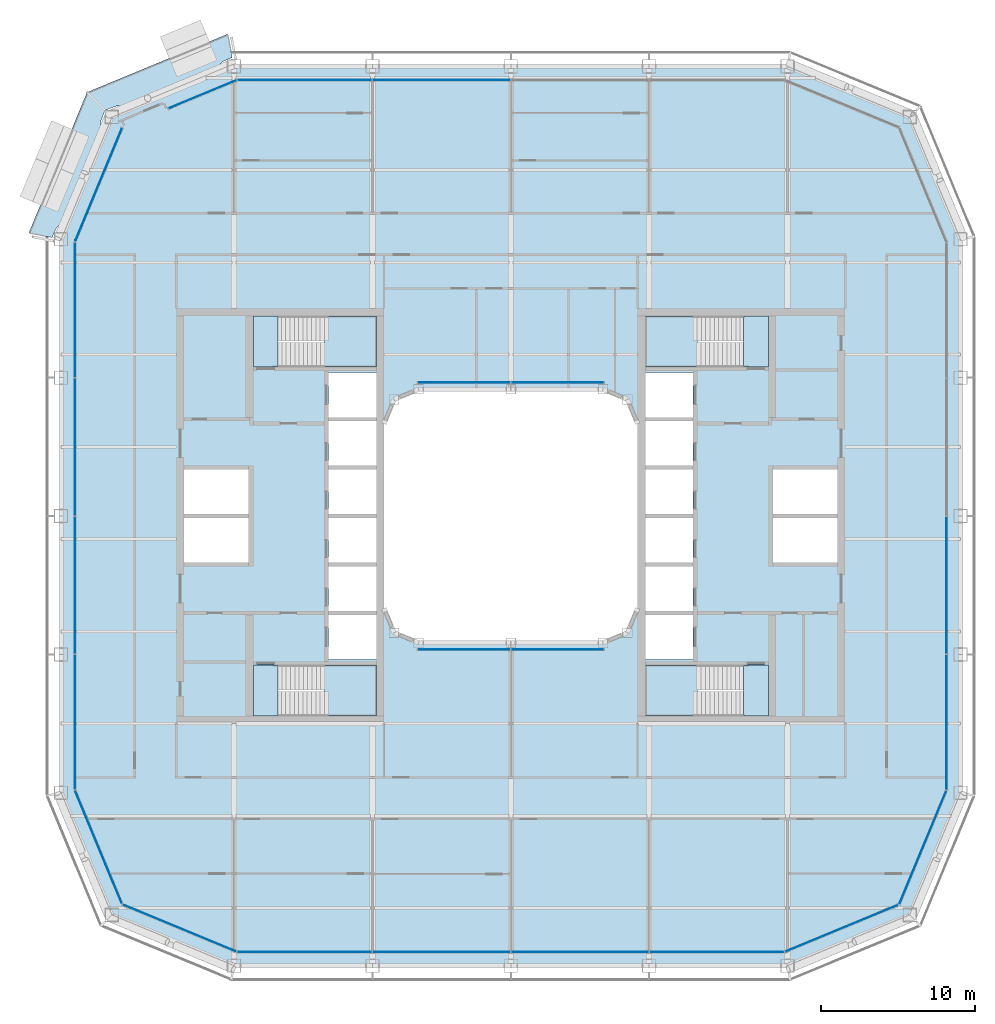
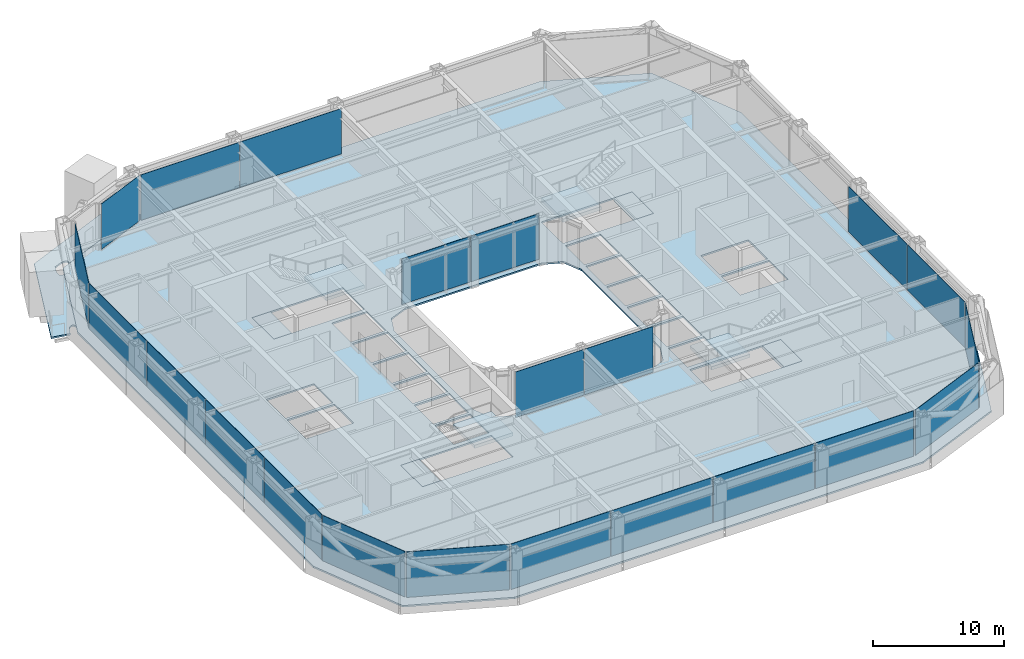
# One storey, part 10 of 23: 22 plates, 10 slabs, 16 elements without a shape of their own.
"""IFC4 building model written with IfcOpenShell, lengths in metres."""

from ifc_helpers import new_model, si_unit, direction, frame, origin, origin_2d, place, context, subcontext, project, spatial, polyline, rectangle, outline, extrude, material, layer, layer_set, type_object, element, aggregate, save


model = new_model("IFC4")

# Units and contexts
model_context = context("Model", 3, precision=1e-05, world=origin(), true_north=direction((0.0, 1.0)))
body_context = subcontext(model_context, "Body", "Model", "MODEL_VIEW")
ifc_project = project(units=[si_unit("LENGTHUNIT", "METRE"), si_unit("AREAUNIT", "SQUARE_METRE"), si_unit("VOLUMEUNIT", "CUBIC_METRE"), si_unit("PLANEANGLEUNIT", "RADIAN"), si_unit("MASSUNIT", "GRAM", prefix="KILO")], contexts=[model_context])

# Site, building, storey
site_placement = place(None, origin())
site = spatial("IfcSite", under=ifc_project, at=site_placement, CompositionType="ELEMENT")
building_placement = place(site_placement, origin())
building = spatial("IfcBuilding", under=site, at=building_placement, Name="Siwar Civic Tower", CompositionType="ELEMENT")
storey_placement = place(building_placement, frame((0.0, 0.0, 154.199951171875)))
storey = spatial("IfcBuildingStorey", under=building, at=storey_placement, Name="L33", CompositionType="ELEMENT", Elevation=154.199951171875)

# Stair, slabs
ifc_material_1 = material(Name="Concrete C40/50", Category="concrete")
stair_type = type_object("IfcStairType", Name="CORE-STAIR", PredefinedType="TWO_STRAIGHT_RUN_STAIR", material=ifc_material_1)
stair_1_placement = place(storey_placement, origin())
stair_1 = element("IfcStair", 1, at=stair_1_placement, inside=storey, type_object=stair_type, Name="Exit stair ST1", PredefinedType="TWO_STRAIGHT_RUN_STAIR")
ifc_material_2 = material(Name="Concrete C40/50", Category="concrete")
ifc_layer_1 = layer(ifc_material_2, 0.300048828125)
ifc_layer_set_1 = layer_set([ifc_layer_1], Name="Concrete C40/50")
slab_type_1 = type_object("IfcSlabType", Name="CORE-STAIR-LANDING", PredefinedType="LANDING", material=ifc_layer_set_1)
slab_1_placement = place(storey_placement, frame((0.0, 0.0, -0.300048828125)))
slab_1 = element("IfcSlab", 2, at=slab_1_placement, type_object=slab_type_1, Name="ST1 landing 1", PredefinedType="LANDING", context=body_context, shape_type="SweptSolid", body=[
    extrude(outline(polyline([(-15.14990234375, 13.0), (-16.75, 13.0), (-16.75, 9.699951171875), (-15.14990234375, 9.699951171875), (-15.14990234375, 13.0)])), origin(), (0.0, 0.0, 1.0), 0.300048828125),
])
slab_2_placement = place(storey_placement, frame((0.0, 0.0, 1.949951171875)))
slab_2 = element("IfcSlab", 3, at=slab_2_placement, type_object=slab_type_1, Name="ST1 landing 2", PredefinedType="LANDING", context=body_context, shape_type="SweptSolid", body=[
    extrude(outline(polyline([(-8.75, 13.0), (-12.139892578125, 13.0), (-12.139892578125, 9.699951171875), (-8.75, 9.699951171875), (-8.75, 13.0)])), origin(), (0.0, 0.0, 1.0), 0.300048828125),
])
aggregate(stair_1, [slab_1, slab_2])

stair_2_placement = place(storey_placement, origin())
stair_2 = element("IfcStair", 4, at=stair_2_placement, inside=storey, type_object=stair_type, Name="Exit stair ST2", PredefinedType="TWO_STRAIGHT_RUN_STAIR")
slab_3_placement = place(storey_placement, frame((0.0, 0.0, -0.300048828125)))
slab_3 = element("IfcSlab", 5, at=slab_3_placement, type_object=slab_type_1, Name="ST2 landing 1", PredefinedType="LANDING", context=body_context, shape_type="SweptSolid", body=[
    extrude(outline(polyline([(-15.14990234375, -9.699951171875), (-16.75, -9.699951171875), (-16.75, -13.0), (-15.14990234375, -13.0), (-15.14990234375, -9.699951171875)])), origin(), (0.0, 0.0, 1.0), 0.300048828125),
])
slab_4_placement = place(storey_placement, frame((0.0, 0.0, 1.949951171875)))
slab_4 = element("IfcSlab", 6, at=slab_4_placement, type_object=slab_type_1, Name="ST2 landing 2", PredefinedType="LANDING", context=body_context, shape_type="SweptSolid", body=[
    extrude(outline(polyline([(-8.75, -9.699951171875), (-12.139892578125, -9.699951171875), (-12.139892578125, -13.0), (-8.75, -13.0), (-8.75, -9.699951171875)])), origin(), (0.0, 0.0, 1.0), 0.300048828125),
])
aggregate(stair_2, [slab_3, slab_4])

stair_3_placement = place(storey_placement, origin())
stair_3 = element("IfcStair", 7, at=stair_3_placement, inside=storey, type_object=stair_type, Name="Exit stair ST3", PredefinedType="TWO_STRAIGHT_RUN_STAIR")
slab_5_placement = place(storey_placement, frame((0.0, 0.0, -0.300048828125)))
slab_5 = element("IfcSlab", 8, at=slab_5_placement, type_object=slab_type_1, Name="ST3 landing 1", PredefinedType="LANDING", context=body_context, shape_type="SweptSolid", body=[
    extrude(outline(polyline([(15.14990234375, 9.699951171875), (16.75, 9.699951171875), (16.75, 13.0), (15.14990234375, 13.0), (15.14990234375, 9.699951171875)])), origin(), (0.0, 0.0, 1.0), 0.300048828125),
])
slab_6_placement = place(storey_placement, frame((0.0, 0.0, 1.949951171875)))
slab_6 = element("IfcSlab", 9, at=slab_6_placement, type_object=slab_type_1, Name="ST3 landing 2", PredefinedType="LANDING", context=body_context, shape_type="SweptSolid", body=[
    extrude(outline(polyline([(8.75, 9.699951171875), (12.139892578125, 9.699951171875), (12.139892578125, 13.0), (8.75, 13.0), (8.75, 9.699951171875)])), origin(), (0.0, 0.0, 1.0), 0.300048828125),
])
aggregate(stair_3, [slab_5, slab_6])

stair_4_placement = place(storey_placement, origin())
stair_4 = element("IfcStair", 10, at=stair_4_placement, inside=storey, type_object=stair_type, Name="Exit stair ST4", PredefinedType="TWO_STRAIGHT_RUN_STAIR")
slab_7_placement = place(storey_placement, frame((0.0, 0.0, -0.300048828125)))
slab_7 = element("IfcSlab", 11, at=slab_7_placement, type_object=slab_type_1, Name="ST4 landing 1", PredefinedType="LANDING", context=body_context, shape_type="SweptSolid", body=[
    extrude(outline(polyline([(15.14990234375, -13.0), (16.75, -13.0), (16.75, -9.699951171875), (15.14990234375, -9.699951171875), (15.14990234375, -13.0)])), origin(), (0.0, 0.0, 1.0), 0.300048828125),
])
slab_8_placement = place(storey_placement, frame((0.0, 0.0, 1.949951171875)))
slab_8 = element("IfcSlab", 12, at=slab_8_placement, type_object=slab_type_1, Name="ST4 landing 2", PredefinedType="LANDING", context=body_context, shape_type="SweptSolid", body=[
    extrude(outline(polyline([(8.75, -13.0), (12.139892578125, -13.0), (12.139892578125, -9.699951171875), (8.75, -9.699951171875), (8.75, -13.0)])), origin(), (0.0, 0.0, 1.0), 0.300048828125),
])
aggregate(stair_4, [slab_7, slab_8])

# Slab
ifc_material_3 = material(Name="Concrete C40/50", Category="concrete")
ifc_layer_2 = layer(ifc_material_3, 0.14990234375)
ifc_layer_set_2 = layer_set([ifc_layer_2], Name="Concrete C40/50")
slab_type_2 = type_object("IfcSlabType", Name="ENV-BALCONY DECK 150", PredefinedType="FLOOR", material=ifc_layer_set_2)
slab_9_placement = place(storey_placement, frame((0.0, 0.0, -0.1494140625)))
element("IfcSlab", 13, at=slab_9_placement, inside=storey, type_object=slab_type_2, Name="Tree balcony deck NW", PredefinedType="FLOOR", context=body_context, shape_type="SweptSolid", body=[
    extrude(outline(polyline([(-26.263427734375, 26.43310546875), (-26.258056640625, 26.435546875), (-26.258056640625, 26.435546875), (-26.2333984375, 26.44580078125), (-26.151611328125, 26.479736328125), (-25.921875, 26.575439453125), (-25.897216796875, 26.585693359375), (-25.88916015625, 26.589111328125), (-25.88720703125, 26.58984375), (-25.81494140625, 26.617431640625), (-25.81005859375, 26.619140625), (-25.74462890625, 26.639404296875), (-25.740234375, 26.640625), (-25.673583984375, 26.65673828125), (-25.669189453125, 26.65771484375), (-25.601806640625, 26.669921875), (-25.59765625, 26.67041015625), (-25.529541015625, 26.6787109375), (-25.523681640625, 26.67919921875), (-25.517578125, 26.67919921875), (-25.406005859375, 26.6748046875), (-25.397216796875, 26.674072265625), (-25.388671875, 26.672119140625), (-25.345703125, 26.66015625), (-25.34130859375, 26.65869140625), (-25.299072265625, 26.64404296875), (-25.29150390625, 26.640869140625), (-25.284423828125, 26.63720703125), (-25.251220703125, 26.61669921875), (-25.247802734375, 26.614501953125), (-25.216064453125, 26.59228515625), (-25.209716796875, 26.58740234375), (-25.203857421875, 26.581787109375), (-25.19873046875, 26.575439453125), (-25.1943359375, 26.56884765625), (-25.190673828125, 26.561767578125), (-25.177001953125, 26.531494140625), (-25.17529296875, 26.52734375), (-25.16357421875, 26.496337890625), (-25.1611328125, 26.488525390625), (-25.159423828125, 26.480712890625), (-25.15869140625, 26.47265625), (-25.15869140625, 26.464599609375), (-25.15966796875, 26.456787109375), (-25.166259765625, 26.418701171875), (-25.167236328125, 26.41455078125), (-25.176025390625, 26.376708984375), (-25.17822265625, 26.368896484375), (-25.181396484375, 26.361328125), (-25.20068359375, 26.321044921875), (-25.202880859375, 26.31689453125), (-25.224609375, 26.27783203125), (-25.2294921875, 26.2705078125), (-25.23486328125, 26.263671875), (-25.25048828125, 26.246826171875), (-18.724609375, 28.949951171875), (-18.77490234375, 28.951904296875), (-18.783447265625, 28.95263671875), (-18.7919921875, 28.95458984375), (-18.835205078125, 28.966552734375), (-18.839599609375, 28.968017578125), (-18.8818359375, 28.982666015625), (-18.889404296875, 28.98583984375), (-18.896484375, 28.98974609375), (-18.9296875, 29.010009765625), (-18.935302734375, 29.013916015625), (-18.940673828125, 29.018310546875), (-18.945556640625, 29.023193359375), (-18.968994140625, 29.048583984375), (-18.971923828125, 29.052001953125), (-18.99365234375, 29.078857421875), (-18.998046875, 29.084716796875), (-19.001708984375, 29.0908203125), (-19.0048828125, 29.097412109375), (-19.00732421875, 29.104248046875), (-19.009033203125, 29.111083984375), (-19.01025390625, 29.118408203125), (-19.013671875, 29.15283203125), (-19.01416015625, 29.1572265625), (-19.015625, 29.19189453125), (-19.015625, 29.19873046875), (-19.01513671875, 29.20556640625), (-19.013671875, 29.21240234375), (-19.0048828125, 29.25), (-19.002685546875, 29.2578125), (-18.99951171875, 29.265380859375), (-18.980224609375, 29.305908203125), (-18.97802734375, 29.309814453125), (-18.956298828125, 29.348876953125), (-18.951416015625, 29.356201171875), (-18.946044921875, 29.363037109375), (-18.870361328125, 29.4453125), (-18.865966796875, 29.44970703125), (-18.861572265625, 29.453369140625), (-18.8076171875, 29.495849609375), (-18.80419921875, 29.498291015625), (-18.748046875, 29.53759765625), (-18.744384765625, 29.5400390625), (-18.68603515625, 29.575927734375), (-18.681884765625, 29.578369140625), (-18.62158203125, 29.610595703125), (-18.616943359375, 29.61279296875), (-18.54638671875, 29.64453125), (-18.54443359375, 29.645263671875), (-18.4951171875, 29.665771484375), (-18.449951171875, 29.6845703125), (-18.449951171875, 29.699951171875), (-18.412841796875, 29.699951171875), (-18.314697265625, 29.740966796875), (-18.232666015625, 29.775146484375), (-18.19970703125, 29.788818359375), (-18.175048828125, 29.798828125), (-18.175048828125, 29.798828125), (-18.16748046875, 29.8017578125), (-18.148193359375, 29.807373046875), (-18.140625, 29.80908203125), (-18.1328125, 29.81005859375), (-18.1123046875, 29.8115234375), (-18.11181640625, 29.8115234375), (-18.417724609375, 31.35009765625), (-27.562255859375, 27.562255859375), (-31.35009765625, 18.417724609375), (-29.80810546875, 18.111083984375), (-29.808349609375, 18.114013671875), (-29.80859375, 18.13037109375), (-29.808349609375, 18.136962890625), (-29.8076171875, 18.1435546875), (-29.80615234375, 18.150146484375), (-29.80224609375, 18.1650390625), (-29.798828125, 18.175048828125), (-29.788818359375, 18.19970703125), (-29.755615234375, 18.279052734375), (-29.740966796875, 18.314697265625), (-29.699951171875, 18.412841796875), (-29.699951171875, 18.449951171875), (-29.6845703125, 18.449951171875), (-29.665771484375, 18.4951171875), (-29.645263671875, 18.54443359375), (-29.64453125, 18.54638671875), (-29.61279296875, 18.616943359375), (-29.610595703125, 18.62158203125), (-29.578369140625, 18.681884765625), (-29.575927734375, 18.68603515625), (-29.5400390625, 18.744384765625), (-29.53759765625, 18.748046875), (-29.498291015625, 18.80419921875), (-29.495849609375, 18.8076171875), (-29.453369140625, 18.861572265625), (-29.44970703125, 18.865966796875), (-29.4453125, 18.870361328125), (-29.363037109375, 18.946044921875), (-29.356201171875, 18.951416015625), (-29.348876953125, 18.956298828125), (-29.309814453125, 18.97802734375), (-29.305908203125, 18.980224609375), (-29.265380859375, 18.99951171875), (-29.2578125, 19.002685546875), (-29.25, 19.0048828125), (-29.21240234375, 19.013671875), (-29.20556640625, 19.01513671875), (-29.19873046875, 19.015625), (-29.19189453125, 19.015625), (-29.1572265625, 19.01416015625), (-29.15283203125, 19.013671875), (-29.118408203125, 19.01025390625), (-29.111083984375, 19.009033203125), (-29.104248046875, 19.00732421875), (-29.097412109375, 19.0048828125), (-29.0908203125, 19.001708984375), (-29.084716796875, 18.998046875), (-29.078857421875, 18.99365234375), (-29.052001953125, 18.971923828125), (-29.048583984375, 18.968994140625), (-29.023193359375, 18.945556640625), (-29.018310546875, 18.940673828125), (-29.013916015625, 18.935302734375), (-29.010009765625, 18.9296875), (-28.98974609375, 18.896484375), (-28.98583984375, 18.889404296875), (-28.982666015625, 18.8818359375), (-28.968017578125, 18.839599609375), (-28.966552734375, 18.835205078125), (-28.95458984375, 18.7919921875), (-28.95263671875, 18.783447265625), (-28.951904296875, 18.77490234375), (-28.949951171875, 18.724609375), (-26.246826171875, 25.25048828125), (-26.263671875, 25.23486328125), (-26.2705078125, 25.2294921875), (-26.27783203125, 25.224609375), (-26.31689453125, 25.202880859375), (-26.321044921875, 25.20068359375), (-26.361328125, 25.181396484375), (-26.368896484375, 25.17822265625), (-26.376708984375, 25.176025390625), (-26.41455078125, 25.167236328125), (-26.418701171875, 25.166259765625), (-26.456787109375, 25.15966796875), (-26.464599609375, 25.15869140625), (-26.47265625, 25.15869140625), (-26.480712890625, 25.159423828125), (-26.488525390625, 25.1611328125), (-26.496337890625, 25.16357421875), (-26.52734375, 25.17529296875), (-26.531494140625, 25.177001953125), (-26.561767578125, 25.190673828125), (-26.56884765625, 25.1943359375), (-26.575439453125, 25.19873046875), (-26.581787109375, 25.203857421875), (-26.58740234375, 25.209716796875), (-26.59228515625, 25.216064453125), (-26.614501953125, 25.247802734375), (-26.61669921875, 25.251220703125), (-26.63720703125, 25.284423828125), (-26.640869140625, 25.29150390625), (-26.64404296875, 25.299072265625), (-26.65869140625, 25.34130859375), (-26.66015625, 25.345703125), (-26.672119140625, 25.388671875), (-26.674072265625, 25.397216796875), (-26.6748046875, 25.406005859375), (-26.67919921875, 25.517578125), (-26.67919921875, 25.523681640625), (-26.6787109375, 25.529541015625), (-26.67041015625, 25.59765625), (-26.669921875, 25.601806640625), (-26.65771484375, 25.669189453125), (-26.65673828125, 25.673583984375), (-26.640625, 25.740234375), (-26.639404296875, 25.74462890625), (-26.619140625, 25.81005859375), (-26.617431640625, 25.81494140625), (-26.58984375, 25.88720703125), (-26.589111328125, 25.88916015625), (-26.585693359375, 25.897216796875), (-26.575439453125, 25.921875), (-26.479736328125, 26.151611328125), (-26.44580078125, 26.2333984375), (-26.435546875, 26.258056640625), (-26.4306640625, 26.267578125), (-26.4228515625, 26.28076171875), (-26.419189453125, 26.286376953125), (-26.4150390625, 26.291748046875), (-26.410400390625, 26.296630859375), (-26.405029296875, 26.3017578125), (-26.405029296875, 26.405029296875), (-26.311279296875, 26.405029296875), (-26.29833984375, 26.414306640625), (-26.293701171875, 26.41748046875), (-26.28857421875, 26.420166015625), (-26.263427734375, 26.43310546875)])), origin(), (0.0, 0.0, 1.0), 0.1494140625),
])

# Curtain wall, plates
ifc_material_4 = material(Name="Aluminium and glass", Category="aluminium")
ifc_layer_3 = layer(ifc_material_4, 0.199951171875)
ifc_layer_set_3 = layer_set([ifc_layer_3], Name="Aluminium and glass")
curtain_wall_type_1 = type_object("IfcCurtainWallType", Name="ENV-CW-B", PredefinedType="NOTDEFINED", material=ifc_layer_set_3)
curtain_wall_1_placement = place(storey_placement, origin())
curtain_wall_1 = element("IfcCurtainWall", 14, at=curtain_wall_1_placement, inside=storey, type_object=curtain_wall_type_1, Name="Curtain wall B S", PredefinedType="NOTDEFINED")
ifc_material_5 = material(Name="Glass clear laminated", Category="glass")
ifc_layer_4 = layer(ifc_material_5, 0.033935546875)
ifc_layer_set_4 = layer_set([ifc_layer_4], Name="Glass clear laminated")
plate_type_1 = type_object("IfcPlateType", Name="ENV-PANEL-B", PredefinedType="CURTAIN_PANEL", material=ifc_layer_set_4)
plate_1_placement = place(storey_placement, frame((-13.410400390625, -28.35009765625, 0.10986328125), z_axis=(0.0, 0.0, 1.0), x_axis=(1.0, 0.0, 0.0)))
plate_1 = element("IfcPlate", 15, at=plate_1_placement, type_object=plate_type_1, Name="Curtain panel B S 1", PredefinedType="CURTAIN_PANEL", context=body_context, shape_type="SweptSolid", body=[
    extrude(rectangle(XDim=8.755859375, YDim=0.033935546875, at=origin_2d()), origin(), (0.0, 0.0, 1.0), 4.239990234375),
])
plate_2_placement = place(storey_placement, frame((-4.5, -28.35009765625, 0.10986328125), z_axis=(0.0, 0.0, 1.0), x_axis=(1.0, 0.0, 0.0)))
plate_2 = element("IfcPlate", 16, at=plate_2_placement, type_object=plate_type_1, Name="Curtain panel B S 2", PredefinedType="CURTAIN_PANEL", context=body_context, shape_type="SweptSolid", body=[
    extrude(rectangle(XDim=8.93505859375, YDim=0.033935546875, at=origin_2d()), origin(), (0.0, 0.0, 1.0), 4.239990234375),
])
plate_3_placement = place(storey_placement, frame((4.5, -28.35009765625, 0.10986328125), z_axis=(0.0, 0.0, 1.0), x_axis=(1.0, 0.0, 0.0)))
plate_3 = element("IfcPlate", 17, at=plate_3_placement, type_object=plate_type_1, Name="Curtain panel B S 3", PredefinedType="CURTAIN_PANEL", context=body_context, shape_type="SweptSolid", body=[
    extrude(rectangle(XDim=8.93505859375, YDim=0.033935546875, at=origin_2d()), origin(), (0.0, 0.0, 1.0), 4.239990234375),
])
plate_4_placement = place(storey_placement, frame((13.369873046875, -28.35009765625, 0.10986328125), z_axis=(0.0, 0.0, 1.0), x_axis=(1.0, 0.0, 0.0)))
plate_4 = element("IfcPlate", 18, at=plate_4_placement, type_object=plate_type_1, Name="Curtain panel B S 4", PredefinedType="CURTAIN_PANEL", context=body_context, shape_type="SweptSolid", body=[
    extrude(rectangle(XDim=8.6748046875, YDim=0.033935546875, at=origin_2d()), origin(), (0.0, 0.0, 1.0), 4.239990234375),
])
aggregate(curtain_wall_1, [plate_1, plate_2, plate_3, plate_4])

curtain_wall_2_placement = place(storey_placement, origin())
curtain_wall_2 = element("IfcCurtainWall", 19, at=curtain_wall_2_placement, inside=storey, type_object=curtain_wall_type_1, Name="Curtain wall B E", PredefinedType="NOTDEFINED")
plate_5_placement = place(storey_placement, frame((28.35009765625, -13.410400390625, 0.10986328125), z_axis=(0.0, 0.0, 1.0), x_axis=(0.0, 1.0, 0.0)))
plate_5 = element("IfcPlate", 20, at=plate_5_placement, type_object=plate_type_1, Name="Curtain panel B E 1", PredefinedType="CURTAIN_PANEL", context=body_context, shape_type="SweptSolid", body=[
    extrude(rectangle(XDim=8.755859375, YDim=0.033935546875, at=origin_2d()), origin(), (0.0, 0.0, 1.0), 4.239990234375),
])
plate_6_placement = place(storey_placement, frame((28.35009765625, -4.5, 0.10986328125), z_axis=(0.0, 0.0, 1.0), x_axis=(0.0, 1.0, 0.0)))
plate_6 = element("IfcPlate", 21, at=plate_6_placement, type_object=plate_type_1, Name="Curtain panel B E 2", PredefinedType="CURTAIN_PANEL", context=body_context, shape_type="SweptSolid", body=[
    extrude(rectangle(XDim=8.93505859375, YDim=0.033935546875, at=origin_2d()), origin(), (0.0, 0.0, 1.0), 4.239990234375),
])
aggregate(curtain_wall_2, [plate_5, plate_6])

curtain_wall_3_placement = place(storey_placement, origin())
curtain_wall_3 = element("IfcCurtainWall", 22, at=curtain_wall_3_placement, inside=storey, type_object=curtain_wall_type_1, Name="Curtain wall B N", PredefinedType="NOTDEFINED")
plate_7_placement = place(storey_placement, frame((-4.5, 28.35009765625, 0.10986328125), z_axis=(0.0, 0.0, 1.0), x_axis=(-1.0, 0.0, 0.0)))
plate_7 = element("IfcPlate", 23, at=plate_7_placement, type_object=plate_type_1, Name="Curtain panel B N 3", PredefinedType="CURTAIN_PANEL", context=body_context, shape_type="SweptSolid", body=[
    extrude(rectangle(XDim=8.93505859375, YDim=0.033935546875, at=origin_2d()), origin(), (0.0, 0.0, 1.0), 4.239990234375),
])
plate_8_placement = place(storey_placement, frame((-13.369873046875, 28.35009765625, 0.10986328125), z_axis=(0.0, 0.0, 1.0), x_axis=(-1.0, 0.0, 0.0)))
plate_8 = element("IfcPlate", 24, at=plate_8_placement, type_object=plate_type_1, Name="Curtain panel B N 4", PredefinedType="CURTAIN_PANEL", context=body_context, shape_type="SweptSolid", body=[
    extrude(rectangle(XDim=8.6748046875, YDim=0.033935546875, at=origin_2d()), origin(), (0.0, 0.0, 1.0), 4.239990234375),
])
aggregate(curtain_wall_3, [plate_7, plate_8])

curtain_wall_4_placement = place(storey_placement, origin())
curtain_wall_4 = element("IfcCurtainWall", 25, at=curtain_wall_4_placement, inside=storey, type_object=curtain_wall_type_1, Name="Curtain wall B W", PredefinedType="NOTDEFINED")
plate_9_placement = place(storey_placement, frame((-28.35009765625, 13.410400390625, 0.10986328125), z_axis=(0.0, 0.0, 1.0), x_axis=(0.0, -1.0, 0.0)))
plate_9 = element("IfcPlate", 26, at=plate_9_placement, type_object=plate_type_1, Name="Curtain panel B W 1", PredefinedType="CURTAIN_PANEL", context=body_context, shape_type="SweptSolid", body=[
    extrude(rectangle(XDim=8.755859375, YDim=0.033935546875, at=origin_2d()), origin(), (0.0, 0.0, 1.0), 4.239990234375),
])
plate_10_placement = place(storey_placement, frame((-28.35009765625, 4.5, 0.10986328125), z_axis=(0.0, 0.0, 1.0), x_axis=(0.0, -1.0, 0.0)))
plate_10 = element("IfcPlate", 27, at=plate_10_placement, type_object=plate_type_1, Name="Curtain panel B W 2", PredefinedType="CURTAIN_PANEL", context=body_context, shape_type="SweptSolid", body=[
    extrude(rectangle(XDim=8.93505859375, YDim=0.033935546875, at=origin_2d()), origin(), (0.0, 0.0, 1.0), 4.239990234375),
])
plate_11_placement = place(storey_placement, frame((-28.35009765625, -4.5, 0.10986328125), z_axis=(0.0, 0.0, 1.0), x_axis=(0.0, -1.0, 0.0)))
plate_11 = element("IfcPlate", 28, at=plate_11_placement, type_object=plate_type_1, Name="Curtain panel B W 3", PredefinedType="CURTAIN_PANEL", context=body_context, shape_type="SweptSolid", body=[
    extrude(rectangle(XDim=8.93505859375, YDim=0.033935546875, at=origin_2d()), origin(), (0.0, 0.0, 1.0), 4.239990234375),
])
plate_12_placement = place(storey_placement, frame((-28.35009765625, -13.369873046875, 0.10986328125), z_axis=(0.0, 0.0, 1.0), x_axis=(0.0, -1.0, 0.0)))
plate_12 = element("IfcPlate", 29, at=plate_12_placement, type_object=plate_type_1, Name="Curtain panel B W 4", PredefinedType="CURTAIN_PANEL", context=body_context, shape_type="SweptSolid", body=[
    extrude(rectangle(XDim=8.6748046875, YDim=0.033935546875, at=origin_2d()), origin(), (0.0, 0.0, 1.0), 4.239990234375),
])
aggregate(curtain_wall_4, [plate_9, plate_10, plate_11, plate_12])

# Curtain wall, plate
ifc_material_6 = material(Name="Aluminium clad insulated panel", Category="aluminium")
ifc_layer_5 = layer(ifc_material_6, 0.199951171875)
ifc_layer_set_5 = layer_set([ifc_layer_5], Name="Aluminium clad insulated panel")
curtain_wall_type_2 = type_object("IfcCurtainWallType", Name="ENV-CW-BX", PredefinedType="NOTDEFINED", material=ifc_layer_set_5)
curtain_wall_5_placement = place(storey_placement, origin())
curtain_wall_5 = element("IfcCurtainWall", 30, at=curtain_wall_5_placement, inside=storey, type_object=curtain_wall_type_2, Name="Curtain wall B SE1", PredefinedType="NOTDEFINED")
ifc_material_7 = material(Name="Aluminium clad insulated panel", Category="aluminium")
ifc_layer_6 = layer(ifc_material_7, 0.033935546875)
ifc_layer_set_6 = layer_set([ifc_layer_6], Name="Aluminium clad insulated panel")
plate_type_2 = type_object("IfcPlateType", Name="ENV-PANEL-BX", PredefinedType="CURTAIN_PANEL", material=ifc_layer_set_6)
plate_13_placement = place(storey_placement, frame((21.506103515625, -26.823486328125, 0.10986328125), z_axis=(0.0, 0.0, 1.0), x_axis=(0.923879532511, 0.382683432365, 0.0)))
plate_13 = element("IfcPlate", 31, at=plate_13_placement, type_object=plate_type_2, Name="Curtain panel B SE1 1", PredefinedType="CURTAIN_PANEL", context=body_context, shape_type="SweptSolid", body=[
    extrude(rectangle(XDim=7.912353515625, YDim=0.033935546875, at=origin_2d()), origin(), (0.0, 0.0, 1.0), 4.239990234375),
])
aggregate(curtain_wall_5, [plate_13])

curtain_wall_6_placement = place(storey_placement, origin())
curtain_wall_6 = element("IfcCurtainWall", 32, at=curtain_wall_6_placement, inside=storey, type_object=curtain_wall_type_2, Name="Curtain wall B SE2", PredefinedType="NOTDEFINED")
plate_14_placement = place(storey_placement, frame((26.79248046875, -21.5810546875, 0.10986328125), z_axis=(0.0, 0.0, 1.0), x_axis=(0.382683432365, 0.923879532511, 0.0)))
plate_14 = element("IfcPlate", 33, at=plate_14_placement, type_object=plate_type_2, Name="Curtain panel B SE2 1", PredefinedType="CURTAIN_PANEL", context=body_context, shape_type="SweptSolid", body=[
    extrude(rectangle(XDim=7.912353515625, YDim=0.033935546875, at=origin_2d()), origin(), (0.0, 0.0, 1.0), 4.239990234375),
])
aggregate(curtain_wall_6, [plate_14])

curtain_wall_7_placement = place(storey_placement, origin())
curtain_wall_7 = element("IfcCurtainWall", 34, at=curtain_wall_7_placement, inside=storey, type_object=curtain_wall_type_2, Name="Curtain wall B NW1", PredefinedType="NOTDEFINED")
plate_15_placement = place(storey_placement, frame((-20.06005859375, 27.422607421875, 0.10986328125), z_axis=(0.0, 0.0, 1.0), x_axis=(-0.923879532511, -0.382683432365, 0.0)))
plate_15 = element("IfcPlate", 35, at=plate_15_placement, type_object=plate_type_2, Name="Curtain panel B NW1 1", PredefinedType="CURTAIN_PANEL", context=body_context, shape_type="SweptSolid", body=[
    extrude(rectangle(XDim=4.7822265625, YDim=0.033935546875, at=origin_2d()), origin(), (0.0, 0.0, 1.0), 4.239990234375),
])
aggregate(curtain_wall_7, [plate_15])

curtain_wall_8_placement = place(storey_placement, origin())
curtain_wall_8 = element("IfcCurtainWall", 36, at=curtain_wall_8_placement, inside=storey, type_object=curtain_wall_type_2, Name="Curtain wall B NW2", PredefinedType="NOTDEFINED")
plate_16_placement = place(storey_placement, frame((-26.79248046875, 21.5810546875, 0.10986328125), z_axis=(0.0, 0.0, 1.0), x_axis=(-0.382683432365, -0.923879532511, 0.0)))
plate_16 = element("IfcPlate", 37, at=plate_16_placement, type_object=plate_type_2, Name="Curtain panel B NW2 1", PredefinedType="CURTAIN_PANEL", context=body_context, shape_type="SweptSolid", body=[
    extrude(rectangle(XDim=7.912353515625, YDim=0.033935546875, at=origin_2d()), origin(), (0.0, 0.0, 1.0), 4.239990234375),
])
aggregate(curtain_wall_8, [plate_16])

curtain_wall_9_placement = place(storey_placement, origin())
curtain_wall_9 = element("IfcCurtainWall", 38, at=curtain_wall_9_placement, inside=storey, type_object=curtain_wall_type_2, Name="Curtain wall B SW1", PredefinedType="NOTDEFINED")
plate_17_placement = place(storey_placement, frame((-26.823486328125, -21.506103515625, 0.10986328125), z_axis=(0.0, 0.0, 1.0), x_axis=(0.382683432365, -0.923879532511, 0.0)))
plate_17 = element("IfcPlate", 39, at=plate_17_placement, type_object=plate_type_2, Name="Curtain panel B SW1 1", PredefinedType="CURTAIN_PANEL", context=body_context, shape_type="SweptSolid", body=[
    extrude(rectangle(XDim=7.912353515625, YDim=0.033935546875, at=origin_2d()), origin(), (0.0, 0.0, 1.0), 4.239990234375),
])
aggregate(curtain_wall_9, [plate_17])

curtain_wall_10_placement = place(storey_placement, origin())
curtain_wall_10 = element("IfcCurtainWall", 40, at=curtain_wall_10_placement, inside=storey, type_object=curtain_wall_type_2, Name="Curtain wall B SW2", PredefinedType="NOTDEFINED")
plate_18_placement = place(storey_placement, frame((-21.5810546875, -26.79248046875, 0.10986328125), z_axis=(0.0, 0.0, 1.0), x_axis=(0.923879532511, -0.382683432365, 0.0)))
plate_18 = element("IfcPlate", 41, at=plate_18_placement, type_object=plate_type_2, Name="Curtain panel B SW2 1", PredefinedType="CURTAIN_PANEL", context=body_context, shape_type="SweptSolid", body=[
    extrude(rectangle(XDim=7.912353515625, YDim=0.033935546875, at=origin_2d()), origin(), (0.0, 0.0, 1.0), 4.239990234375),
])
aggregate(curtain_wall_10, [plate_18])

# Curtain wall, plates
ifc_material_8 = material(Name="Aluminium and glass", Category="aluminium")
ifc_layer_7 = layer(ifc_material_8, 0.179931640625)
ifc_layer_set_7 = layer_set([ifc_layer_7], Name="Aluminium and glass")
curtain_wall_type_3 = type_object("IfcCurtainWallType", Name="ENV-CW-W", PredefinedType="NOTDEFINED", material=ifc_layer_set_7)
curtain_wall_11_placement = place(storey_placement, origin())
curtain_wall_11 = element("IfcCurtainWall", 42, at=curtain_wall_11_placement, inside=storey, type_object=curtain_wall_type_3, Name="Curtain wall W WS", PredefinedType="NOTDEFINED")
ifc_material_9 = material(Name="Glass clear laminated", Category="glass")
ifc_layer_8 = layer(ifc_material_9, 0.031982421875)
ifc_layer_set_8 = layer_set([ifc_layer_8], Name="Glass clear laminated")
plate_type_3 = type_object("IfcPlateType", Name="ENV-PANEL-W", PredefinedType="CURTAIN_PANEL", material=ifc_layer_set_8)
plate_19_placement = place(storey_placement, frame((-3.043212890625, -8.68505859375, 0.10009765625), z_axis=(0.0, 0.0, 1.0), x_axis=(1.0, 0.0, 0.0)))
plate_19 = element("IfcPlate", 43, at=plate_19_placement, type_object=plate_type_3, Name="Curtain panel W WS 1", PredefinedType="CURTAIN_PANEL", context=body_context, shape_type="SweptSolid", body=[
    extrude(rectangle(XDim=6.026611328125, YDim=0.031982421875, at=origin_2d()), origin(), (0.0, 0.0, 1.0), 4.25),
])
plate_20_placement = place(storey_placement, frame((3.043212890625, -8.68505859375, 0.10009765625), z_axis=(0.0, 0.0, 1.0), x_axis=(1.0, 0.0, 0.0)))
plate_20 = element("IfcPlate", 44, at=plate_20_placement, type_object=plate_type_3, Name="Curtain panel W WS 2", PredefinedType="CURTAIN_PANEL", context=body_context, shape_type="SweptSolid", body=[
    extrude(rectangle(XDim=6.026611328125, YDim=0.031982421875, at=origin_2d()), origin(), (0.0, 0.0, 1.0), 4.25),
])
aggregate(curtain_wall_11, [plate_19, plate_20])

curtain_wall_12_placement = place(storey_placement, origin())
curtain_wall_12 = element("IfcCurtainWall", 45, at=curtain_wall_12_placement, inside=storey, type_object=curtain_wall_type_3, Name="Curtain wall W WN", PredefinedType="NOTDEFINED")
plate_21_placement = place(storey_placement, frame((3.043212890625, 8.68505859375, 0.10009765625), z_axis=(0.0, 0.0, 1.0), x_axis=(-1.0, 0.0, 0.0)))
plate_21 = element("IfcPlate", 46, at=plate_21_placement, type_object=plate_type_3, Name="Curtain panel W WN 1", PredefinedType="CURTAIN_PANEL", context=body_context, shape_type="SweptSolid", body=[
    extrude(rectangle(XDim=6.026611328125, YDim=0.031982421875, at=origin_2d()), origin(), (0.0, 0.0, 1.0), 4.25),
])
plate_22_placement = place(storey_placement, frame((-3.043212890625, 8.68505859375, 0.10009765625), z_axis=(0.0, 0.0, 1.0), x_axis=(-1.0, 0.0, 0.0)))
plate_22 = element("IfcPlate", 47, at=plate_22_placement, type_object=plate_type_3, Name="Curtain panel W WN 2", PredefinedType="CURTAIN_PANEL", context=body_context, shape_type="SweptSolid", body=[
    extrude(rectangle(XDim=6.026611328125, YDim=0.031982421875, at=origin_2d()), origin(), (0.0, 0.0, 1.0), 4.25),
])
aggregate(curtain_wall_12, [plate_21, plate_22])

# Slab
ifc_material_10 = material(Name="Concrete C40/50", Category="concrete")
ifc_layer_9 = layer(ifc_material_10, 0.14990234375)
ifc_layer_set_9 = layer_set([ifc_layer_9], Name="Concrete C40/50")
slab_type_3 = type_object("IfcSlabType", Name="STR-FLOOR-DECK-150", PredefinedType="FLOOR", material=ifc_layer_set_9)
slab_10_placement = place(storey_placement, frame((0.0, 0.0, -0.14990234375)))
element("IfcSlab", 48, at=slab_10_placement, inside=storey, type_object=slab_type_3, Name="L33/slab/1", PredefinedType="FLOOR", context=body_context, shape_type="SweptSolid", body=[
    extrude(outline(polyline([(-18.0, -29.25), (18.0, -29.25), (25.954833984375, -25.954833984375), (29.25, -18.0), (29.25, 18.0), (25.954833984375, 25.954833984375), (18.0, 29.25), (-18.0, 29.25), (-25.954833984375, 25.954833984375), (-29.25, 18.0), (-29.25, -18.0), (-25.954833984375, -25.954833984375), (-18.0, -29.25)]), holes=[polyline([(21.25, 3.02490234375), (21.25, 0.125), (17.050048828125, 0.125), (17.050048828125, 3.02490234375), (21.25, 3.02490234375)]), polyline([(17.050048828125, -0.125), (21.25, -0.125), (21.25, -3.02490234375), (17.050048828125, -3.02490234375), (17.050048828125, -0.125)]), polyline([(16.75, 13.0), (16.75, 9.699951171875), (8.75, 9.699951171875), (8.75, 13.0), (16.75, 13.0)]), polyline([(8.75, -9.699951171875), (16.75, -9.699951171875), (16.75, -13.0), (8.75, -13.0), (8.75, -9.699951171875)]), polyline([(11.85009765625, 9.324951171875), (11.85009765625, 6.425048828125), (8.75, 6.425048828125), (8.75, 9.324951171875), (11.85009765625, 9.324951171875)]), polyline([(11.85009765625, 3.02490234375), (11.85009765625, 0.125), (8.75, 0.125), (8.75, 3.02490234375), (11.85009765625, 3.02490234375)]), polyline([(11.85009765625, -0.125), (11.85009765625, -3.02490234375), (8.75, -3.02490234375), (8.75, -0.125), (11.85009765625, -0.125)]), polyline([(11.85009765625, -3.27490234375), (11.85009765625, -6.175048828125), (8.75, -6.175048828125), (8.75, -3.27490234375), (11.85009765625, -3.27490234375)]), polyline([(8.75, 6.175048828125), (11.85009765625, 6.175048828125), (11.85009765625, 3.27490234375), (8.75, 3.27490234375), (8.75, 6.175048828125)]), polyline([(8.75, -6.425048828125), (11.85009765625, -6.425048828125), (11.85009765625, -9.324951171875), (8.75, -9.324951171875), (8.75, -6.425048828125)]), polyline([(-6.0, 8.25), (6.0, 8.25), (7.591064453125, 7.591064453125), (8.25, 6.0), (8.25, -6.0), (7.591064453125, -7.591064453125), (6.0, -8.25), (-6.0, -8.25), (-7.591064453125, -7.591064453125), (-8.25, -6.0), (-8.25, 6.0), (-7.591064453125, 7.591064453125), (-6.0, 8.25)]), polyline([(-8.75, 9.699951171875), (-16.75, 9.699951171875), (-16.75, 13.0), (-8.75, 13.0), (-8.75, 9.699951171875)]), polyline([(-8.75, 0.125), (-11.85009765625, 0.125), (-11.85009765625, 3.02490234375), (-8.75, 3.02490234375), (-8.75, 0.125)]), polyline([(-8.75, -6.175048828125), (-11.85009765625, -6.175048828125), (-11.85009765625, -3.27490234375), (-8.75, -3.27490234375), (-8.75, -6.175048828125)]), polyline([(-8.75, -9.324951171875), (-11.85009765625, -9.324951171875), (-11.85009765625, -6.425048828125), (-8.75, -6.425048828125), (-8.75, -9.324951171875)]), polyline([(-8.75, -13.0), (-16.75, -13.0), (-16.75, -9.699951171875), (-8.75, -9.699951171875), (-8.75, -13.0)]), polyline([(-11.85009765625, 6.425048828125), (-11.85009765625, 9.324951171875), (-8.75, 9.324951171875), (-8.75, 6.425048828125), (-11.85009765625, 6.425048828125)]), polyline([(-11.85009765625, 3.27490234375), (-11.85009765625, 6.175048828125), (-8.75, 6.175048828125), (-8.75, 3.27490234375), (-11.85009765625, 3.27490234375)]), polyline([(-11.85009765625, -3.02490234375), (-11.85009765625, -0.125), (-8.75, -0.125), (-8.75, -3.02490234375), (-11.85009765625, -3.02490234375)]), polyline([(-21.25, -3.02490234375), (-21.25, -0.125), (-17.050048828125, -0.125), (-17.050048828125, -3.02490234375), (-21.25, -3.02490234375)]), polyline([(-17.050048828125, 0.125), (-21.25, 0.125), (-21.25, 3.02490234375), (-17.050048828125, 3.02490234375), (-17.050048828125, 0.125)])]), origin(), (0.0, 0.0, 1.0), 0.14990234375),
])

save(model, "model.ifc")
